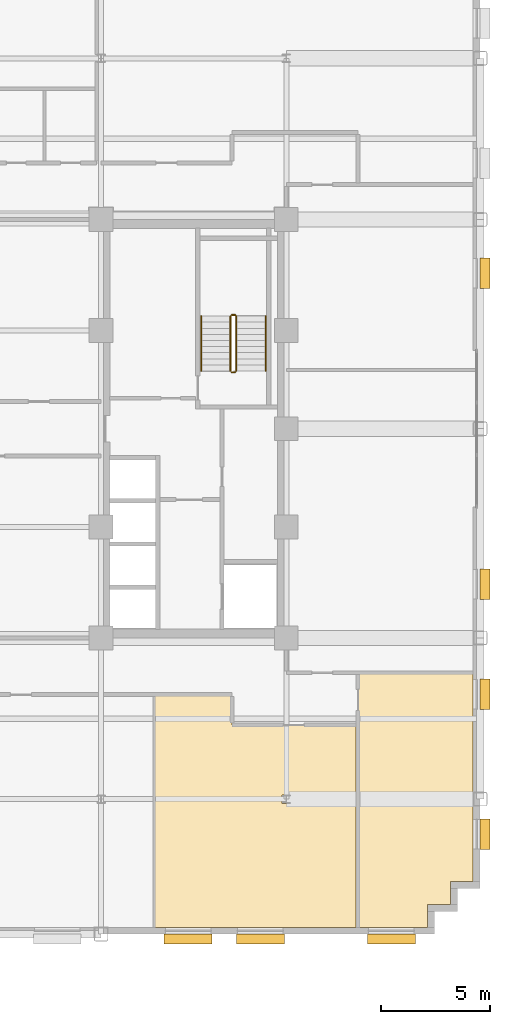
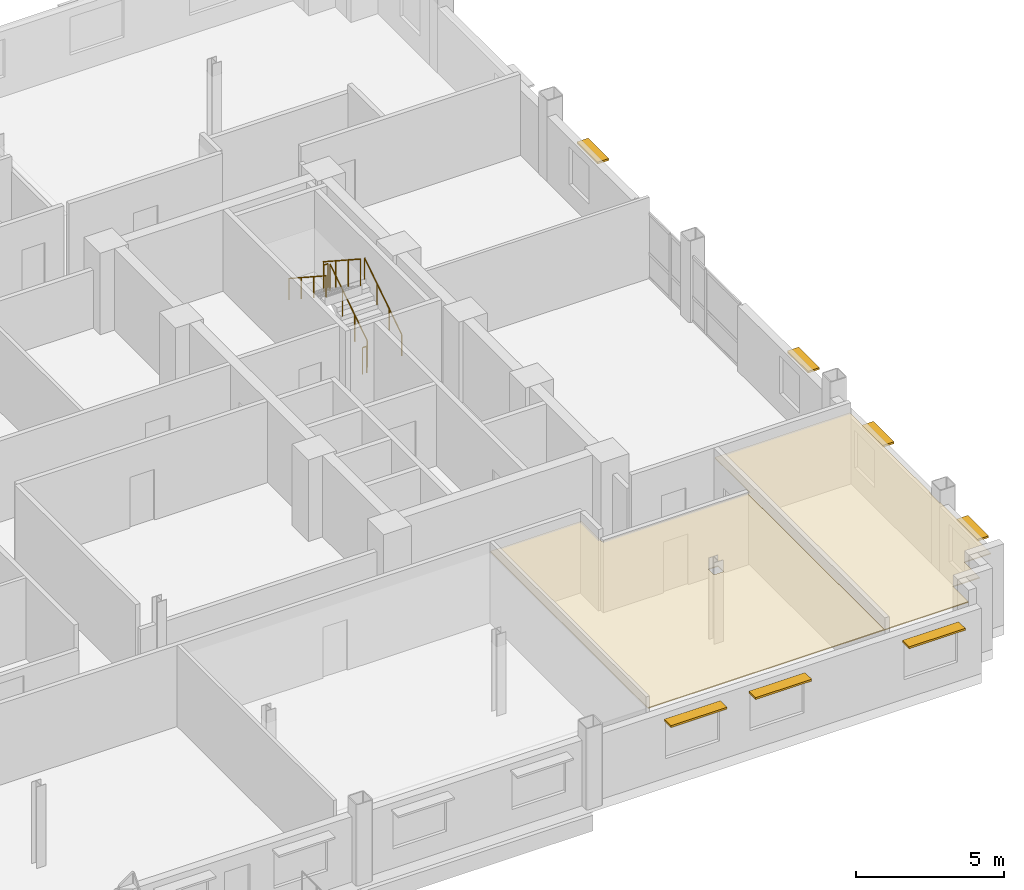
# One storey, part 15 of 16: 7 shading devices, 6 railings, 2 coverings.
"""IFC4 building model written with IfcOpenShell, lengths in metres."""

import ifcopenshell
import ifcopenshell.guid

model = None  # the IFC model being written
_history = None  # IfcOwnerHistory: only IFC2X3 demands one
_inside = {}  # id of a spatial element -> (the spatial element, [elements in it])
_under = {}  # id of a project, library or spatial element -> (it, [spatial elements below it])
_declared = {}  # id of a project -> (the project, [libraries it declares])
_typed = {}  # id of a type object -> (the type object, [elements of that type])
_made_of = {}  # id of a material, layer set ... -> (it, [elements and type objects made of it])


def new_model(schema):
    """Start an empty IFC model of exactly this schema.

    Asked for "IFC4X3", IfcOpenShell would pick the latest addendum, in which some entities
    have other attributes; the version numbers below select the first issue.
    IFC2X3 requires an IfcOwnerHistory on every rooted entity: one is made here for all.
    """
    global model, _history
    if schema == "IFC4X3":
        model = ifcopenshell.file(schema_version=(4, 3, 0, 0))
    else:
        model = ifcopenshell.file(schema=schema)
    _inside.clear()
    _under.clear()
    _declared.clear()
    _typed.clear()
    _made_of.clear()
    _history = None
    if model.schema == "IFC2X3":
        org = make("IfcOrganization", Name="unknown")
        user = make(
            "IfcPersonAndOrganization",
            ThePerson=make("IfcPerson", FamilyName="unknown"),
            TheOrganization=org,
        )
        app = make(
            "IfcApplication",
            ApplicationDeveloper=org,
            Version="unknown",
            ApplicationFullName="unknown",
            ApplicationIdentifier="unknown",
        )
        _history = make(
            "IfcOwnerHistory",
            OwningUser=user,
            OwningApplication=app,
            ChangeAction="ADDED",
            CreationDate=0,
        )
    return model


def make(cls, **values):
    """One entity of the class cls with the attributes given. An attribute that is None is left unset."""
    return model.create_entity(
        cls, **{name: value for name, value in values.items() if value is not None}
    )


def rooted(cls, **values):
    """An entity with a GlobalId (a new one), such as an element, a storey or a relation."""
    return make(cls, GlobalId=ifcopenshell.guid.new(), OwnerHistory=_history, **values)


def si_unit(unit_type, name, prefix=None):
    """IfcSIUnit, for example si_unit("LENGTHUNIT", "METRE", prefix="MILLI")."""
    return make("IfcSIUnit", UnitType=unit_type, Prefix=prefix, Name=name)


def assignment(units):
    """IfcUnitAssignment: the units of a project."""
    return None if units is None else make("IfcUnitAssignment", Units=units)


def point(xyz):
    """IfcCartesianPoint."""
    return None if xyz is None else make("IfcCartesianPoint", Coordinates=xyz)


def direction(xyz):
    """IfcDirection."""
    return None if xyz is None else make("IfcDirection", DirectionRatios=xyz)


def frame(location, z_axis=None, x_axis=None):
    """IfcAxis2Placement3D, a coordinate frame: its origin and axes. An axis left out is left unset."""
    return make(
        "IfcAxis2Placement3D",
        Location=point(location),
        Axis=direction(z_axis),
        RefDirection=direction(x_axis),
    )


def frame_2d(location, x_axis=None):
    """IfcAxis2Placement2D, a coordinate frame in the plane: its origin and x axis."""
    return make(
        "IfcAxis2Placement2D", Location=point(location), RefDirection=direction(x_axis)
    )


def origin():
    """The frame at (0, 0, 0) with its axes left unset."""
    return frame((0.0, 0.0, 0.0))


def origin_2d():
    """The frame at (0, 0) in the plane with its x axis left unset."""
    return frame_2d((0.0, 0.0))


def place(relative_to, where):
    """IfcLocalPlacement: puts the frame where relative to a parent placement (None: the world)."""
    return make(
        "IfcLocalPlacement", PlacementRelTo=relative_to, RelativePlacement=where
    )


def context(
    kind, dimensions, precision=None, world=None, true_north=None, identifier=None
):
    """IfcGeometricRepresentationContext, for example the 3D "Model" context."""
    return make(
        "IfcGeometricRepresentationContext",
        ContextIdentifier=identifier,
        ContextType=kind,
        CoordinateSpaceDimension=dimensions,
        Precision=precision,
        WorldCoordinateSystem=world,
        TrueNorth=true_north,
    )


def subcontext(parent, identifier, kind, view, scale=None):
    """IfcGeometricRepresentationSubContext, for example "Body" below "Model"."""
    return make(
        "IfcGeometricRepresentationSubContext",
        ContextIdentifier=identifier,
        ContextType=kind,
        ParentContext=parent,
        TargetScale=scale,
        TargetView=view,
    )


def project(units=None, contexts=None):
    """IfcProject with its units and contexts."""
    return rooted(
        "IfcProject",
        Name="project",
        RepresentationContexts=contexts,
        UnitsInContext=assignment(units),
    )


def spatial(cls, under=None, at=None, **own):
    """A site, building, storey or space (cls), placed at a placement, below another one or the project."""
    s = rooted(cls, ObjectPlacement=at, **own)
    if under is not None:
        _under.setdefault(under.id(), (under, []))[1].append(s)
    return s


def polyline(points):
    """IfcPolyline through the points."""
    return make("IfcPolyline", Points=[point(p) for p in points])


def profile(cls, at=None, kind="AREA", **sizes):
    """A parametric profile (cls). Its sizes go by their IFC names, for example OverallWidth=200.0."""
    return make(cls, ProfileType=kind, Position=at, **sizes)


def rectangle(**sizes):
    """IfcRectangleProfileDef."""
    return profile("IfcRectangleProfileDef", **sizes)


def circle(**sizes):
    """IfcCircleProfileDef."""
    return profile("IfcCircleProfileDef", **sizes)


def outline(outer, holes=None, kind="AREA"):
    """IfcArbitraryClosedProfileDef: a profile drawn as a closed curve; with holes, ...WithVoids."""
    if holes is None:
        return make("IfcArbitraryClosedProfileDef", ProfileType=kind, OuterCurve=outer)
    return make(
        "IfcArbitraryProfileDefWithVoids",
        ProfileType=kind,
        OuterCurve=outer,
        InnerCurves=holes,
    )


def extrude(swept, where, along, depth):
    """IfcExtrudedAreaSolid: the profile swept, set in the frame where, extruded along a direction by depth."""
    return make(
        "IfcExtrudedAreaSolid",
        SweptArea=swept,
        Position=where,
        ExtrudedDirection=direction(along),
        Depth=depth,
    )


def shape(context_of_items, identifier, shape_type, items):
    """IfcShapeRepresentation: the items that make up one representation, for example the "Body"."""
    return make(
        "IfcShapeRepresentation",
        ContextOfItems=context_of_items,
        RepresentationIdentifier=identifier,
        RepresentationType=shape_type,
        Items=items,
    )


def source(mapping_origin, context_of_items, identifier, shape_type, items):
    """IfcRepresentationMap: a shape defined once, which mapped items show again and again."""
    return make(
        "IfcRepresentationMap",
        MappingOrigin=mapping_origin,
        MappedRepresentation=shape(context_of_items, identifier, shape_type, items),
    )


def transform(
    local_origin,
    x_axis=None,
    y_axis=None,
    z_axis=None,
    scale=None,
    scale2=None,
    scale3=None,
    uniform=True,
):
    """IfcCartesianTransformationOperator3D, or its non-uniform kind. x_axis, y_axis, z_axis: its Axis1, 2, 3."""
    if uniform:
        return make(
            "IfcCartesianTransformationOperator3D",
            Axis1=direction(x_axis),
            Axis2=direction(y_axis),
            LocalOrigin=point(local_origin),
            Scale=scale,
            Axis3=direction(z_axis),
        )
    return make(
        "IfcCartesianTransformationOperator3DnonUniform",
        Axis1=direction(x_axis),
        Axis2=direction(y_axis),
        LocalOrigin=point(local_origin),
        Scale=scale,
        Axis3=direction(z_axis),
        Scale2=scale2,
        Scale3=scale3,
    )


def mapped(mapping_source, mapping_target):
    """IfcMappedItem: shows the shape of a source again, moved by a transform."""
    return make(
        "IfcMappedItem", MappingSource=mapping_source, MappingTarget=mapping_target
    )


def material(Name=None, Category=None):
    """IfcMaterial."""
    return make("IfcMaterial", Name=Name, Category=Category)


def layer(
    of_material, thickness, ventilated=None, Name=None, Category=None, Priority=None
):
    """IfcMaterialLayer: one layer of a wall or slab, of a material (None: an air gap)."""
    return make(
        "IfcMaterialLayer",
        Material=of_material,
        LayerThickness=thickness,
        IsVentilated=ventilated,
        Name=Name,
        Category=Category,
        Priority=Priority,
    )


def layer_set(layers, Name=None):
    """IfcMaterialLayerSet."""
    return make("IfcMaterialLayerSet", MaterialLayers=layers, LayerSetName=Name)


def made_of(thing, what):
    """Note that an element or type object is made of a material, layer set ...; save() writes the relation."""
    if what is not None:
        _made_of.setdefault(what.id(), (what, []))[1].append(thing)
    return thing


def type_object(cls, material=None, **own):
    """A type object (cls), such as IfcWallType, which elements share."""
    return made_of(rooted(cls, **own), material)


def type_shapes(of_type, sources):
    """Give a type object the sources (RepresentationMaps) that its elements show as mapped items."""
    of_type.RepresentationMaps = sources


def element(
    cls,
    number,
    at=None,
    inside=None,
    cuts=None,
    type_object=None,
    material=None,
    context=None,
    identifier="Body",
    shape_type=None,
    held_by="IfcProductDefinitionShape",
    body=None,
    shapes=None,
    **own,
):
    """One element of the class cls, such as IfcWall. Its Tag is "e" and its number.

    at: its placement. inside: the storey or other place that contains it. cuts: it is an
    opening in that element (IfcRelVoidsElement). A single representation is given by context,
    identifier, shape_type and body (its items); several are given by shapes. held_by: the class
    of the entity that holds the representations. save() writes the other relations.
    """
    e = rooted(cls, Tag="e%d" % number, ObjectPlacement=at, **own)
    if body is not None:
        shapes = [shape(context, identifier, shape_type, body)]
    if shapes is not None:
        e.Representation = make(held_by, Representations=shapes)
    if inside is not None:
        _inside.setdefault(inside.id(), (inside, []))[1].append(e)
    if cuts is not None:
        rooted(
            "IfcRelVoidsElement", RelatingBuildingElement=cuts, RelatedOpeningElement=e
        )
    if type_object is not None:
        _typed.setdefault(type_object.id(), (type_object, []))[1].append(e)
    return made_of(e, material)


def aggregate(whole, parts):
    """IfcRelAggregates: a whole, such as a stair, and the parts it consists of."""
    return rooted("IfcRelAggregates", RelatingObject=whole, RelatedObjects=parts)


def save(model, path):
    """Write the relations noted so far, then the file.

    IfcRelAggregates (storeys below a building ...), IfcRelContainedInSpatialStructure (elements
    in a storey), IfcRelDefinesByType, IfcRelAssociatesMaterial and IfcRelDeclares: one each for
    every whole, place, type object, material and project.
    """
    for whole, parts in _under.values():
        aggregate(whole, parts)
    for where, things in _inside.values():
        rooted(
            "IfcRelContainedInSpatialStructure",
            RelatedElements=things,
            RelatingStructure=where,
        )
    for kind, things in _typed.values():
        rooted("IfcRelDefinesByType", RelatedObjects=things, RelatingType=kind)
    for what, things in _made_of.values():
        rooted("IfcRelAssociatesMaterial", RelatedObjects=things, RelatingMaterial=what)
    for by, libraries in _declared.values():
        rooted("IfcRelDeclares", RelatingContext=by, RelatedDefinitions=libraries)
    model.write(path)


model = new_model("IFC4")

# Units and contexts
model_context = context("Model", 3, precision=1e-05, world=origin(), true_north=direction((0.0, 1.0)))
body_context = subcontext(model_context, "Body", "Model", "MODEL_VIEW")
ifc_project = project(units=[si_unit("LENGTHUNIT", "METRE"), si_unit("AREAUNIT", "SQUARE_METRE"), si_unit("VOLUMEUNIT", "CUBIC_METRE"), si_unit("PLANEANGLEUNIT", "RADIAN"), si_unit("MASSUNIT", "GRAM", prefix="KILO")], contexts=[model_context])

# Site, building, storey
site_placement = place(None, origin())
site = spatial("IfcSite", under=ifc_project, at=site_placement, CompositionType="ELEMENT")
building_placement = place(site_placement, origin())
building = spatial("IfcBuilding", under=site, at=building_placement, Name="Nuvemarco Arch Tower", CompositionType="ELEMENT")
storey_placement = place(building_placement, frame((0.0, 0.0, 116.550048828125)))
storey = spatial("IfcBuildingStorey", under=building, at=storey_placement, Name="L30", CompositionType="ELEMENT", Elevation=116.550048828125)

# Coverings
ifc_material_1 = material(Name="Mineral acoustic ceiling tile")
ifc_layer = layer(ifc_material_1, 0.0400390625, Name="COV-ACOUSTIC-CLG")
ifc_layer_set = layer_set([ifc_layer], Name="Mineral acoustic ceiling tile")
covering_type = type_object("IfcCoveringType", Name="COV-ACOUSTIC-CLG", PredefinedType="CEILING", material=ifc_layer_set)
covering_1_placement = place(storey_placement, frame((0.0, 0.0, 2.849853515625)))
element("IfcCovering", 1, at=covering_1_placement, inside=storey, type_object=covering_type, Name="L30 suspended acoustic ceiling 4", PredefinedType="CEILING", context=body_context, shape_type="SweptSolid", body=[
    extrude(outline(polyline([(20.68994140625, -13.60009765625), (20.68994140625, -22.8798828125), (11.43994140625, -22.8798828125), (11.43994140625, -12.199951171875), (15.0, -12.199951171875), (15.0, -13.60009765625), (20.68994140625, -13.60009765625)]), holes=[polyline([(17.695068359375, -17.195068359375), (17.695068359375, -16.804931640625), (17.304931640625, -16.804931640625), (17.304931640625, -17.195068359375), (17.695068359375, -17.195068359375)])]), origin(), (0.0, 0.0, 1.0), 0.0400390625),
])
covering_2_placement = place(storey_placement, frame((0.0, 0.0, 2.849853515625)))
element("IfcCovering", 2, at=covering_2_placement, inside=storey, type_object=covering_type, Name="L30 suspended acoustic ceiling 7", PredefinedType="CEILING", context=body_context, shape_type="SweptSolid", body=[
    extrude(outline(polyline([(23.97998046875, -22.8798828125), (20.68994140625, -22.8798828125), (20.68994140625, -13.60009765625), (20.800048828125, -13.60009765625), (20.800048828125, -11.199951171875), (26.080078125, -11.199951171875), (26.080078125, -16.659912109375), (26.06005859375, -16.659912109375), (26.06005859375, -17.340087890625), (26.080078125, -17.340087890625), (26.080078125, -20.780029296875), (25.030029296875, -20.780029296875), (25.030029296875, -21.830078125), (23.97998046875, -21.830078125), (23.97998046875, -22.8798828125)])), origin(), (0.0, 0.0, 1.0), 0.0400390625),
])

# Railings
ifc_material_2 = material(Name="Brushed stainless steel handrail", Category="steel")
railing_type_1 = type_object("IfcRailingType", Name="RL-HANDRAIL-900", PredefinedType="HANDRAIL", material=ifc_material_2)
railing_1_placement = place(storey_placement, frame((16.550048828125, 2.64990234375, 0.182373046875)))
element("IfcRailing", 3, at=railing_1_placement, inside=storey, type_object=railing_type_1, Name="L30 ST-2 stair handrail 1", PredefinedType="HANDRAIL", context=body_context, shape_type="SweptSolid", body=[
    extrude(circle(Radius=0.02392578125, at=origin_2d()), frame((0.0, 0.0, 0.8759765625), z_axis=(0.0, 0.837749427056, 0.546054848405), x_axis=(-1.0, 0.0, 0.0)), (0.0, 0.0, 1.0), 3.008056640625),
    extrude(circle(Radius=0.02099609375, at=origin_2d()), origin(), (0.0, 0.0, 1.0), 0.851806640625),
    extrude(circle(Radius=0.02099609375, at=origin_2d()), frame((0.0, 0.840087890625, 0.547607421875)), (0.0, 0.0, 1.0), 0.851806640625),
    extrude(circle(Radius=0.02099609375, at=origin_2d()), frame((0.0, 1.679931640625, 1.094970703125)), (0.0, 0.0, 1.0), 0.851806640625),
    extrude(circle(Radius=0.02099609375, at=origin_2d()), frame((0.0, 2.52001953125, 1.642578125)), (0.0, 0.0, 1.0), 0.851806640625),
])
railing_2_placement = place(storey_placement, frame((13.590087890625, 5.169921875, 2.007568359375)))
element("IfcRailing", 4, at=railing_2_placement, inside=storey, type_object=railing_type_1, Name="L30 ST-2 stair handrail 2", PredefinedType="HANDRAIL", context=body_context, shape_type="SweptSolid", body=[
    extrude(circle(Radius=0.02392578125, at=origin_2d()), frame((0.0, 0.0, 0.8759765625), z_axis=(0.0, -0.837786554691, 0.545997883492), x_axis=(1.0, 0.0, 0.0)), (0.0, 0.0, 1.0), 3.008056640625),
    extrude(circle(Radius=0.02099609375, at=origin_2d()), origin(), (0.0, 0.0, 1.0), 0.851806640625),
    extrude(circle(Radius=0.02099609375, at=origin_2d()), frame((0.0, -0.840087890625, 0.54736328125)), (0.0, 0.0, 1.0), 0.851806640625),
    extrude(circle(Radius=0.02099609375, at=origin_2d()), frame((0.0, -1.679931640625, 1.094970703125)), (0.0, 0.0, 1.0), 0.851806640625),
    extrude(circle(Radius=0.02099609375, at=origin_2d()), frame((0.0, -2.52001953125, 1.642333984375)), (0.0, 0.0, 1.0), 0.851806640625),
])
ifc_material_3 = material(Name="Painted balustrade steel S355", Category="steel")
railing_type_2 = type_object("IfcRailingType", Name="RL-STAIR-GUARD", PredefinedType="GUARDRAIL", material=ifc_material_3)
railing_3_placement = place(storey_placement, frame((15.199951171875, 2.64990234375, 0.182373046875)))
element("IfcRailing", 5, at=railing_3_placement, inside=storey, type_object=railing_type_2, Name="L30 ST-2 stair guard 1", PredefinedType="GUARDRAIL", context=body_context, shape_type="SweptSolid", body=[
    extrude(circle(Radius=0.02392578125, at=origin_2d()), frame((0.0, 0.0, 1.09619140625), z_axis=(0.0, 0.837749427056, 0.546054848405), x_axis=(-1.0, 0.0, 0.0)), (0.0, 0.0, 1.0), 3.008056640625),
    extrude(circle(Radius=0.02099609375, at=origin_2d()), origin(), (0.0, 0.0, 1.0), 1.072021484375),
    extrude(circle(Radius=0.02099609375, at=origin_2d()), frame((0.0, 0.840087890625, 0.547607421875)), (0.0, 0.0, 1.0), 1.072021484375),
    extrude(circle(Radius=0.02099609375, at=origin_2d()), frame((0.0, 1.679931640625, 1.094970703125)), (0.0, 0.0, 1.0), 1.072021484375),
    extrude(circle(Radius=0.02099609375, at=origin_2d()), frame((0.0, 2.52001953125, 1.642578125)), (0.0, 0.0, 1.0), 1.072021484375),
])
railing_4_placement = place(storey_placement, frame((15.14990234375, 5.219970703125, 1.824951171875)))
element("IfcRailing", 6, at=railing_4_placement, inside=storey, type_object=railing_type_2, Name="L30 ST-2 stair guard 2", PredefinedType="GUARDRAIL", context=body_context, shape_type="SweptSolid", body=[
    extrude(circle(Radius=0.02392578125, at=origin_2d()), frame((0.0, 0.0, 1.09619140625), z_axis=(-1.0, 0.0, 0.0), x_axis=(0.0, -1.0, 0.0)), (0.0, 0.0, 1.0), 0.159912109375),
    extrude(circle(Radius=0.02099609375, at=origin_2d()), origin(), (0.0, 0.0, 1.0), 1.072021484375),
    extrude(circle(Radius=0.02099609375, at=origin_2d()), frame((-0.159912109375, 0.0, 0.0)), (0.0, 0.0, 1.0), 1.072021484375),
])
railing_5_placement = place(storey_placement, frame((14.93994140625, 5.169921875, 2.007568359375)))
element("IfcRailing", 7, at=railing_5_placement, inside=storey, type_object=railing_type_2, Name="L30 ST-2 stair guard 3", PredefinedType="GUARDRAIL", context=body_context, shape_type="SweptSolid", body=[
    extrude(circle(Radius=0.02392578125, at=origin_2d()), frame((0.0, 0.0, 1.09619140625), z_axis=(0.0, -0.837786554691, 0.545997883492), x_axis=(1.0, 0.0, 0.0)), (0.0, 0.0, 1.0), 3.008056640625),
    extrude(circle(Radius=0.02099609375, at=origin_2d()), origin(), (0.0, 0.0, 1.0), 1.072021484375),
    extrude(circle(Radius=0.02099609375, at=origin_2d()), frame((0.0, -0.840087890625, 0.54736328125)), (0.0, 0.0, 1.0), 1.072021484375),
    extrude(circle(Radius=0.02099609375, at=origin_2d()), frame((0.0, -1.679931640625, 1.094970703125)), (0.0, 0.0, 1.0), 1.072021484375),
    extrude(circle(Radius=0.02099609375, at=origin_2d()), frame((0.0, -2.52001953125, 1.642333984375)), (0.0, 0.0, 1.0), 1.072021484375),
])
railing_6_placement = place(storey_placement, frame((15.14990234375, 2.60009765625, 0.0)))
element("IfcRailing", 8, at=railing_6_placement, inside=storey, type_object=railing_type_2, Name="L30 ST-2 stair guard 4", PredefinedType="GUARDRAIL", context=body_context, shape_type="SweptSolid", body=[
    extrude(circle(Radius=0.02392578125, at=origin_2d()), frame((0.0, 0.0, 1.09619140625), z_axis=(-1.0, 0.0, 0.0), x_axis=(0.0, -1.0, 0.0)), (0.0, 0.0, 1.0), 0.159912109375),
    extrude(circle(Radius=0.02099609375, at=origin_2d()), origin(), (0.0, 0.0, 1.0), 1.072021484375),
    extrude(circle(Radius=0.02099609375, at=origin_2d()), frame((-0.159912109375, 0.0, 0.0)), (0.0, 0.0, 1.0), 1.072021484375),
])

# Shading devices
ifc_material_4 = material(Name="Anodised aluminium 6063-T6", Category="aluminium")
shading_device_type_1 = type_object("IfcShadingDeviceType", Name="SHD-BRISE-SOLEIL", PredefinedType="USERDEFINED", material=ifc_material_4)
shared_shape_1 = source(origin(), body_context, "Body", "SweptSolid", [
    extrude(rectangle(XDim=2.199951171875, YDim=0.449951171875, at=origin_2d()), origin(), (0.0, 0.0, 1.0), 0.080078125),
])
type_shapes(shading_device_type_1, [shared_shape_1])
for number, where, z_axis, x_axis, name in (
    (9, (13.0, -23.4150390625, 2.364990234375), (0.0, 0.0, 1.0), (1.0, 0.0, 0.0), "L30 horizontal brise-soleil sunshade"),
    (10, (16.31005859375, -23.4150390625, 2.364990234375), (0.0, 0.0, 1.0), (1.0, 0.0, 0.0), "L30 horizontal brise-soleil sunshade"),
    (11, (22.320068359375, -23.4150390625, 2.364990234375), (0.0, 0.0, 1.0), (1.0, 0.0, 0.0), "L30 horizontal brise-soleil sunshade"),
):
    element("IfcShadingDevice", number, at=place(storey_placement, frame(where, z_axis=z_axis, x_axis=x_axis)), inside=storey, type_object=shading_device_type_1, Name=name, ObjectType="SUNSHADE", PredefinedType="USERDEFINED", context=body_context, shape_type="MappedRepresentation", body=[
        mapped(shared_shape_1, transform((0.0, 0.0, 0.0), scale=1.0)),
    ])
shading_device_type_2 = type_object("IfcShadingDeviceType", Name="SHD-BRISE-NARROW", PredefinedType="USERDEFINED", material=ifc_material_4)
shared_shape_2 = source(origin(), body_context, "Body", "SweptSolid", [
    extrude(rectangle(XDim=1.39990234375, YDim=0.449951171875, at=origin_2d()), origin(), (0.0, 0.0, 1.0), 0.080078125),
])
type_shapes(shading_device_type_2, [shared_shape_2])
for number, where, z_axis, x_axis, name in (
    (12, (26.614990234375, -18.603271484375, 2.364990234375), (0.0, 0.0, 1.0), (0.0, 1.0, 0.0), "L30 horizontal brise-soleil sunshade"),
    (13, (26.614990234375, -12.19189453125, 2.364990234375), (0.0, 0.0, 1.0), (0.0, 1.0, 0.0), "L30 horizontal brise-soleil sunshade"),
    (14, (26.614990234375, -7.130615234375, 2.364990234375), (0.0, 0.0, 1.0), (0.0, 1.0, 0.0), "L30 horizontal brise-soleil sunshade"),
    (15, (26.614990234375, 7.130615234375, 2.364990234375), (0.0, 0.0, 1.0), (0.0, 1.0, 0.0), "L30 horizontal brise-soleil sunshade"),
):
    element("IfcShadingDevice", number, at=place(storey_placement, frame(where, z_axis=z_axis, x_axis=x_axis)), inside=storey, type_object=shading_device_type_2, Name=name, ObjectType="SUNSHADE", PredefinedType="USERDEFINED", context=body_context, shape_type="MappedRepresentation", body=[
        mapped(shared_shape_2, transform((0.0, 0.0, 0.0), scale=1.0)),
    ])

save(model, "model.ifc")
